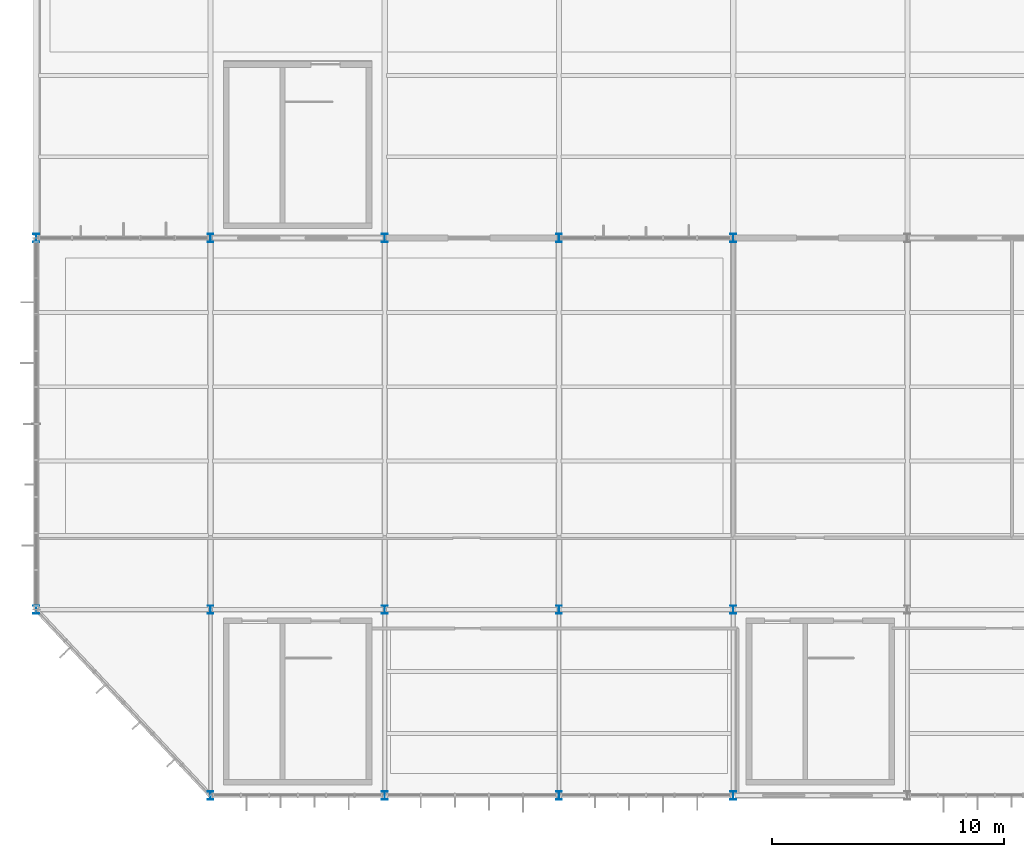
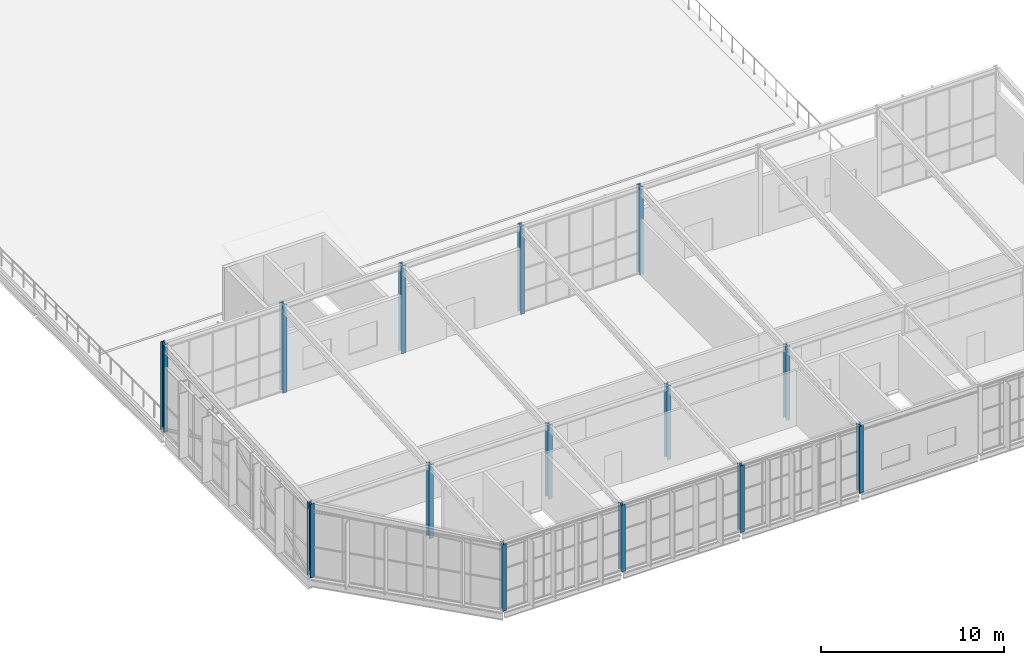
# One storey, part 1 of 104: 14 columns.
"""IFC4 building model written with IfcOpenShell, lengths in metres."""

from ifc_helpers import new_model, si_unit, direction, frame, origin, origin_2d, place, context, subcontext, project, spatial, i_section, extrude, material, material_profile, profile_set, type_object, element, save


model = new_model("IFC4")

# Units and contexts
model_context = context("Model", 3, precision=1e-05, world=origin(), true_north=direction((0.0, 1.0)))
body_context = subcontext(model_context, "Body", "Model", "MODEL_VIEW")
ifc_project = project(units=[si_unit("LENGTHUNIT", "METRE"), si_unit("AREAUNIT", "SQUARE_METRE"), si_unit("VOLUMEUNIT", "CUBIC_METRE"), si_unit("PLANEANGLEUNIT", "RADIAN"), si_unit("MASSUNIT", "GRAM", prefix="KILO")], contexts=[model_context])

# Site, building, storey
site_placement = place(None, origin())
site = spatial("IfcSite", under=ifc_project, at=site_placement, CompositionType="ELEMENT")
building_placement = place(site_placement, origin())
building = spatial("IfcBuilding", under=site, at=building_placement, Name="Solvenia Promenade Tram Depot", CompositionType="ELEMENT")
storey_placement = place(building_placement, frame((0.0, 0.0, 9.0)))
storey = spatial("IfcBuildingStorey", under=building, at=storey_placement, Name="L02", CompositionType="ELEMENT", Elevation=9.0)

# Columns
ifc_material = material(Name="Structural steel ASTM A992 Gr. 50", Category="steel")
ifc_material_profile = material_profile(ifc_material, i_section(OverallWidth=0.2548828125, OverallDepth=0.35693359375, WebThickness=0.010498046875, FlangeThickness=0.018310546875, FilletRadius=0.014892578125, at=origin_2d()), Name="W360x101", Category="steel")
ifc_profile_set = profile_set([ifc_material_profile], Name="Structural steel ASTM A992 Gr. 50")
column_type = type_object("IfcColumnType", Name="Col-W360x101", PredefinedType="COLUMN", material=ifc_profile_set)
column_1_placement = place(storey_placement, frame((0.0, 8.0, 0.0), z_axis=(0.0, 0.0, 1.0), x_axis=(1.0, 0.0, 0.0)))
element("IfcColumn", 1, at=column_1_placement, inside=storey, type_object=column_type, Name="Steel Column COL-L02-003", PredefinedType="COLUMN", context=body_context, shape_type="SweptSolid", body=[
    extrude(i_section(OverallWidth=0.2548828125, OverallDepth=0.35693359375, WebThickness=0.010498046875, FlangeThickness=0.018310546875, FilletRadius=0.014892578125, at=origin_2d()), origin(), (0.0, 0.0, 1.0), 4.9267578125),
])
column_2_placement = place(storey_placement, frame((0.0, 24.0, 0.0), z_axis=(0.0, 0.0, 1.0), x_axis=(1.0, 0.0, 0.0)))
element("IfcColumn", 2, at=column_2_placement, inside=storey, type_object=column_type, Name="Steel Column COL-L02-006", PredefinedType="COLUMN", context=body_context, shape_type="SweptSolid", body=[
    extrude(i_section(OverallWidth=0.2548828125, OverallDepth=0.35693359375, WebThickness=0.010498046875, FlangeThickness=0.018310546875, FilletRadius=0.014892578125, at=origin_2d()), origin(), (0.0, 0.0, 1.0), 5.860107421875),
])
column_3_placement = place(storey_placement, frame((7.5, 0.0, 0.0), z_axis=(0.0, 0.0, 1.0), x_axis=(1.0, 0.0, 0.0)))
element("IfcColumn", 3, at=column_3_placement, inside=storey, type_object=column_type, Name="Steel Column COL-L02-018", PredefinedType="COLUMN", context=body_context, shape_type="SweptSolid", body=[
    extrude(i_section(OverallWidth=0.2548828125, OverallDepth=0.35693359375, WebThickness=0.010498046875, FlangeThickness=0.018310546875, FilletRadius=0.014892578125, at=origin_2d()), origin(), (0.0, 0.0, 1.0), 4.4599609375),
])
column_4_placement = place(storey_placement, frame((7.5, 8.0, 0.0), z_axis=(0.0, 0.0, 1.0), x_axis=(1.0, 0.0, 0.0)))
element("IfcColumn", 4, at=column_4_placement, inside=storey, type_object=column_type, Name="Steel Column COL-L02-021", PredefinedType="COLUMN", context=body_context, shape_type="SweptSolid", body=[
    extrude(i_section(OverallWidth=0.2548828125, OverallDepth=0.35693359375, WebThickness=0.010498046875, FlangeThickness=0.018310546875, FilletRadius=0.014892578125, at=origin_2d()), origin(), (0.0, 0.0, 1.0), 4.9267578125),
])
column_5_placement = place(storey_placement, frame((7.5, 24.0, 0.0), z_axis=(0.0, 0.0, 1.0), x_axis=(1.0, 0.0, 0.0)))
element("IfcColumn", 5, at=column_5_placement, inside=storey, type_object=column_type, Name="Steel Column COL-L02-024", PredefinedType="COLUMN", context=body_context, shape_type="SweptSolid", body=[
    extrude(i_section(OverallWidth=0.2548828125, OverallDepth=0.35693359375, WebThickness=0.010498046875, FlangeThickness=0.018310546875, FilletRadius=0.014892578125, at=origin_2d()), origin(), (0.0, 0.0, 1.0), 5.860107421875),
])
column_6_placement = place(storey_placement, frame((15.0, 0.0, 0.0), z_axis=(0.0, 0.0, 1.0), x_axis=(1.0, 0.0, 0.0)))
element("IfcColumn", 6, at=column_6_placement, inside=storey, type_object=column_type, Name="Steel Column COL-L02-036", PredefinedType="COLUMN", context=body_context, shape_type="SweptSolid", body=[
    extrude(i_section(OverallWidth=0.2548828125, OverallDepth=0.35693359375, WebThickness=0.010498046875, FlangeThickness=0.018310546875, FilletRadius=0.014892578125, at=origin_2d()), origin(), (0.0, 0.0, 1.0), 4.4599609375),
])
column_7_placement = place(storey_placement, frame((15.0, 8.0, 0.0), z_axis=(0.0, 0.0, 1.0), x_axis=(1.0, 0.0, 0.0)))
element("IfcColumn", 7, at=column_7_placement, inside=storey, type_object=column_type, Name="Steel Column COL-L02-039", PredefinedType="COLUMN", context=body_context, shape_type="SweptSolid", body=[
    extrude(i_section(OverallWidth=0.2548828125, OverallDepth=0.35693359375, WebThickness=0.010498046875, FlangeThickness=0.018310546875, FilletRadius=0.014892578125, at=origin_2d()), origin(), (0.0, 0.0, 1.0), 4.9267578125),
])
column_8_placement = place(storey_placement, frame((15.0, 24.0, 0.0), z_axis=(0.0, 0.0, 1.0), x_axis=(1.0, 0.0, 0.0)))
element("IfcColumn", 8, at=column_8_placement, inside=storey, type_object=column_type, Name="Steel Column COL-L02-042", PredefinedType="COLUMN", context=body_context, shape_type="SweptSolid", body=[
    extrude(i_section(OverallWidth=0.2548828125, OverallDepth=0.35693359375, WebThickness=0.010498046875, FlangeThickness=0.018310546875, FilletRadius=0.014892578125, at=origin_2d()), origin(), (0.0, 0.0, 1.0), 5.860107421875),
])
column_9_placement = place(storey_placement, frame((22.5, 0.0, 0.0), z_axis=(0.0, 0.0, 1.0), x_axis=(1.0, 0.0, 0.0)))
element("IfcColumn", 9, at=column_9_placement, inside=storey, type_object=column_type, Name="Steel Column COL-L02-054", PredefinedType="COLUMN", context=body_context, shape_type="SweptSolid", body=[
    extrude(i_section(OverallWidth=0.2548828125, OverallDepth=0.35693359375, WebThickness=0.010498046875, FlangeThickness=0.018310546875, FilletRadius=0.014892578125, at=origin_2d()), origin(), (0.0, 0.0, 1.0), 4.4599609375),
])
column_10_placement = place(storey_placement, frame((22.5, 8.0, 0.0), z_axis=(0.0, 0.0, 1.0), x_axis=(1.0, 0.0, 0.0)))
element("IfcColumn", 10, at=column_10_placement, inside=storey, type_object=column_type, Name="Steel Column COL-L02-057", PredefinedType="COLUMN", context=body_context, shape_type="SweptSolid", body=[
    extrude(i_section(OverallWidth=0.2548828125, OverallDepth=0.35693359375, WebThickness=0.010498046875, FlangeThickness=0.018310546875, FilletRadius=0.014892578125, at=origin_2d()), origin(), (0.0, 0.0, 1.0), 4.9267578125),
])
column_11_placement = place(storey_placement, frame((22.5, 24.0, 0.0), z_axis=(0.0, 0.0, 1.0), x_axis=(1.0, 0.0, 0.0)))
element("IfcColumn", 11, at=column_11_placement, inside=storey, type_object=column_type, Name="Steel Column COL-L02-060", PredefinedType="COLUMN", context=body_context, shape_type="SweptSolid", body=[
    extrude(i_section(OverallWidth=0.2548828125, OverallDepth=0.35693359375, WebThickness=0.010498046875, FlangeThickness=0.018310546875, FilletRadius=0.014892578125, at=origin_2d()), origin(), (0.0, 0.0, 1.0), 5.860107421875),
])
column_12_placement = place(storey_placement, frame((30.0, 0.0, 0.0), z_axis=(0.0, 0.0, 1.0), x_axis=(1.0, 0.0, 0.0)))
element("IfcColumn", 12, at=column_12_placement, inside=storey, type_object=column_type, Name="Steel Column COL-L02-072", PredefinedType="COLUMN", context=body_context, shape_type="SweptSolid", body=[
    extrude(i_section(OverallWidth=0.2548828125, OverallDepth=0.35693359375, WebThickness=0.010498046875, FlangeThickness=0.018310546875, FilletRadius=0.014892578125, at=origin_2d()), origin(), (0.0, 0.0, 1.0), 4.4599609375),
])
column_13_placement = place(storey_placement, frame((30.0, 8.0, 0.0), z_axis=(0.0, 0.0, 1.0), x_axis=(1.0, 0.0, 0.0)))
element("IfcColumn", 13, at=column_13_placement, inside=storey, type_object=column_type, Name="Steel Column COL-L02-075", PredefinedType="COLUMN", context=body_context, shape_type="SweptSolid", body=[
    extrude(i_section(OverallWidth=0.2548828125, OverallDepth=0.35693359375, WebThickness=0.010498046875, FlangeThickness=0.018310546875, FilletRadius=0.014892578125, at=origin_2d()), origin(), (0.0, 0.0, 1.0), 4.9267578125),
])
column_14_placement = place(storey_placement, frame((30.0, 24.0, 0.0), z_axis=(0.0, 0.0, 1.0), x_axis=(1.0, 0.0, 0.0)))
element("IfcColumn", 14, at=column_14_placement, inside=storey, type_object=column_type, Name="Steel Column COL-L02-078", PredefinedType="COLUMN", context=body_context, shape_type="SweptSolid", body=[
    extrude(i_section(OverallWidth=0.2548828125, OverallDepth=0.35693359375, WebThickness=0.010498046875, FlangeThickness=0.018310546875, FilletRadius=0.014892578125, at=origin_2d()), origin(), (0.0, 0.0, 1.0), 5.860107421875),
])

save(model, "model.ifc")
